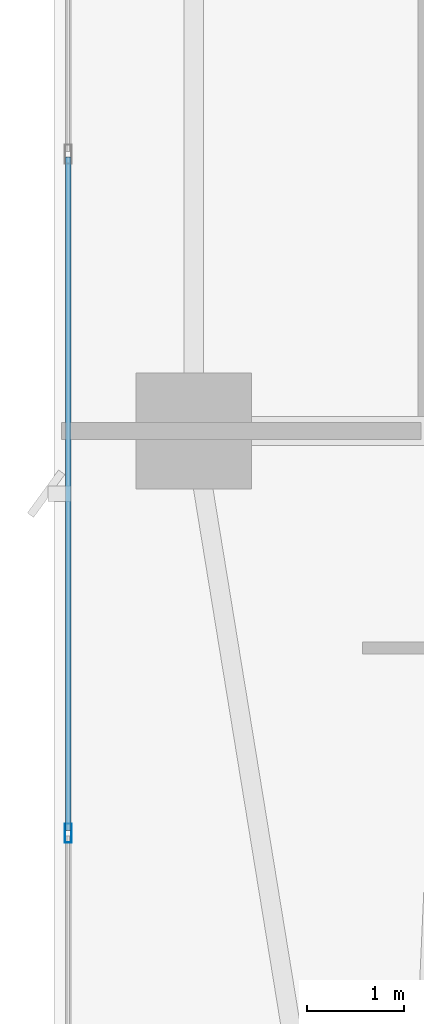
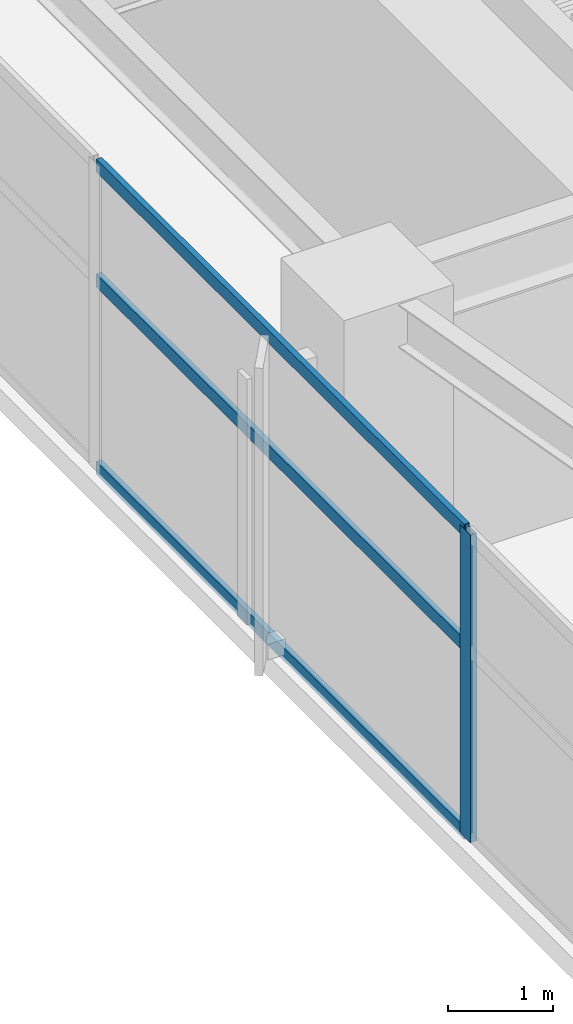
# One storey, part 4 of 28: 4 members, 1 element without a shape of its own.
"""IFC4 building model written with IfcOpenShell, lengths in metres."""

from ifc_helpers import new_model, si_unit, direction, frame, origin, origin_2d, place, context, subcontext, project, spatial, hollow_rectangle, extrude, material, layer, layer_set, material_profile, profile_set, type_object, element, aggregate, save


model = new_model("IFC4")

# Units and contexts
model_context = context("Model", 3, precision=1e-05, world=origin(), true_north=direction((0.0, 1.0)))
body_context = subcontext(model_context, "Body", "Model", "MODEL_VIEW")
ifc_project = project(units=[si_unit("LENGTHUNIT", "METRE"), si_unit("AREAUNIT", "SQUARE_METRE"), si_unit("VOLUMEUNIT", "CUBIC_METRE"), si_unit("PLANEANGLEUNIT", "RADIAN"), si_unit("MASSUNIT", "GRAM", prefix="KILO")], contexts=[model_context])

# Site, building, storey
site_placement = place(None, origin())
site = spatial("IfcSite", under=ifc_project, at=site_placement, CompositionType="ELEMENT")
building_placement = place(site_placement, origin())
building = spatial("IfcBuilding", under=site, at=building_placement, Name="Calvorn Quay Hotel", CompositionType="ELEMENT")
storey_placement = place(building_placement, frame((0.0, 0.0, 131.60009765625)))
storey = spatial("IfcBuildingStorey", under=building, at=storey_placement, Name="L32", CompositionType="ELEMENT", Elevation=131.60009765625)

# Curtain wall, members
ifc_material_1 = material(Name="Pale Anodised Aluminium and Low-E Glass", Category="aluminium")
ifc_layer = layer(ifc_material_1, 0.219970703125)
ifc_layer_set = layer_set([ifc_layer], Name="CW-SYS-Z2")
curtain_wall_type = type_object("IfcCurtainWallType", Name="CW-SYS-Z2", PredefinedType="NOTDEFINED", material=ifc_layer_set)
curtain_wall_placement = place(storey_placement, origin())
curtain_wall = element("IfcCurtainWall", 1, at=curtain_wall_placement, inside=storey, type_object=curtain_wall_type, Name="Tower West Curtain Wall (L32)", PredefinedType="NOTDEFINED")
ifc_material_2 = material(Name="Pale Anodised Aluminium 6063-T6", Category="aluminium")
ifc_material_profile_1 = material_profile(ifc_material_2, hollow_rectangle(XDim=0.070068359375, YDim=0.199951171875, WallThickness=0.00390625, at=origin_2d()), Name="ALU-M200x70x4")
ifc_profile_set_1 = profile_set([ifc_material_profile_1], Name="Pale Anodised Aluminium 6063-T6")
member_type_1 = type_object("IfcMemberType", Name="CW-SYS-Z2-MUL", PredefinedType="MULLION", material=ifc_profile_set_1)
member_1_placement = place(storey_placement, frame((0.14990234375, 12.63330078125, 0.0), z_axis=(0.0, 0.0, 1.0), x_axis=(-1.0, 0.0, 0.0)))
member_1 = element("IfcMember", 2, at=member_1_placement, type_object=member_type_1, Name="CW-L32-W mullion 2", PredefinedType="MULLION", context=body_context, shape_type="SweptSolid", body=[
    extrude(hollow_rectangle(XDim=0.070068359375, YDim=0.199951171875, WallThickness=0.00390625, at=origin_2d()), origin(), (0.0, 0.0, 1.0), 3.559814453125),
])
ifc_material_3 = material(Name="Pale Anodised Aluminium 6063-T6", Category="aluminium")
ifc_material_profile_2 = material_profile(ifc_material_3, hollow_rectangle(XDim=0.06005859375, YDim=0.14990234375, WallThickness=0.00341796875, at=origin_2d()), Name="ALU-T150x60x3.5")
ifc_profile_set_2 = profile_set([ifc_material_profile_2], Name="Pale Anodised Aluminium 6063-T6")
member_type_2 = type_object("IfcMemberType", Name="CW-SYS-Z2-TRN", PredefinedType="USERDEFINED", material=ifc_profile_set_2)
member_2_placement = place(storey_placement, frame((0.14990234375, 12.663330078125, 0.02978515625), z_axis=(0.0, 1.0, 0.0), x_axis=(-1.0, 0.0, 0.0)))
member_2 = element("IfcMember", 3, at=member_2_placement, type_object=member_type_2, Name="CW-L32-W transom 2.1", ObjectType="TRANSOM", PredefinedType="USERDEFINED", context=body_context, shape_type="SweptSolid", body=[
    extrude(hollow_rectangle(XDim=0.06005859375, YDim=0.14990234375, WallThickness=0.00341796875, at=origin_2d()), origin(), (0.0, 0.0, 1.0), 6.973388671875),
])
member_3_placement = place(storey_placement, frame((0.14990234375, 12.663330078125, 2.199951171875), z_axis=(0.0, 1.0, 0.0), x_axis=(-1.0, 0.0, 0.0)))
member_3 = element("IfcMember", 4, at=member_3_placement, type_object=member_type_2, Name="CW-L32-W transom 2.2", ObjectType="TRANSOM", PredefinedType="USERDEFINED", context=body_context, shape_type="SweptSolid", body=[
    extrude(hollow_rectangle(XDim=0.06005859375, YDim=0.14990234375, WallThickness=0.00341796875, at=origin_2d()), origin(), (0.0, 0.0, 1.0), 6.973388671875),
])
member_4_placement = place(storey_placement, frame((0.14990234375, 12.663330078125, 3.52978515625), z_axis=(0.0, 1.0, 0.0), x_axis=(-1.0, 0.0, 0.0)))
member_4 = element("IfcMember", 5, at=member_4_placement, type_object=member_type_2, Name="CW-L32-W transom 2.3", ObjectType="TRANSOM", PredefinedType="USERDEFINED", context=body_context, shape_type="SweptSolid", body=[
    extrude(hollow_rectangle(XDim=0.06005859375, YDim=0.14990234375, WallThickness=0.00341796875, at=origin_2d()), origin(), (0.0, 0.0, 1.0), 6.973388671875),
])
aggregate(curtain_wall, [member_1, member_2, member_3, member_4])

save(model, "model.ifc")
